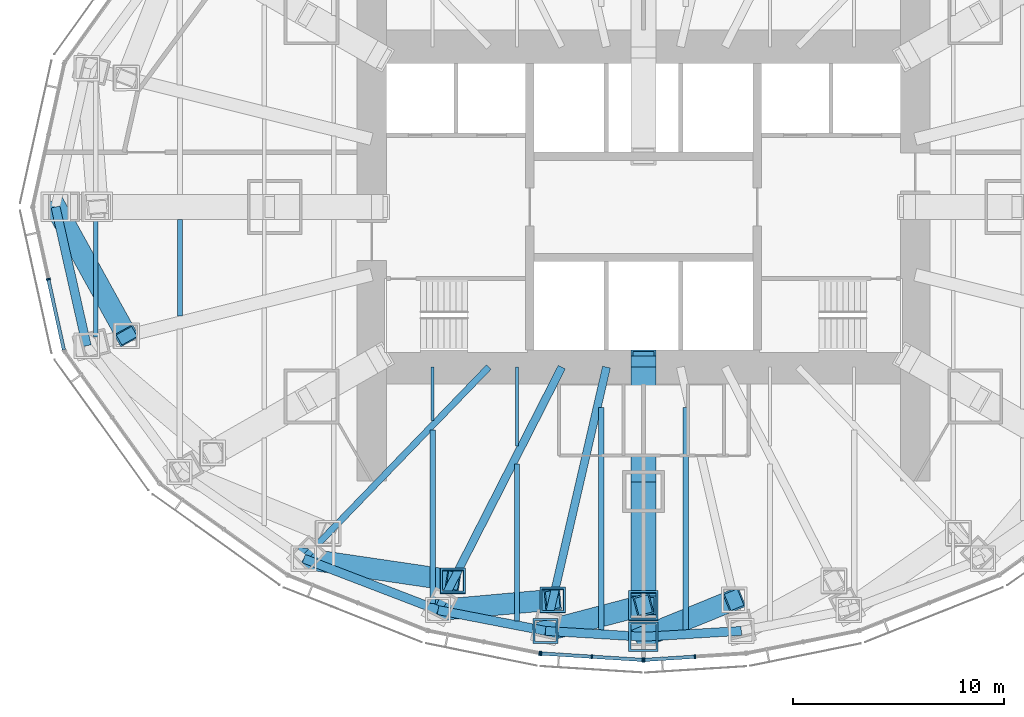
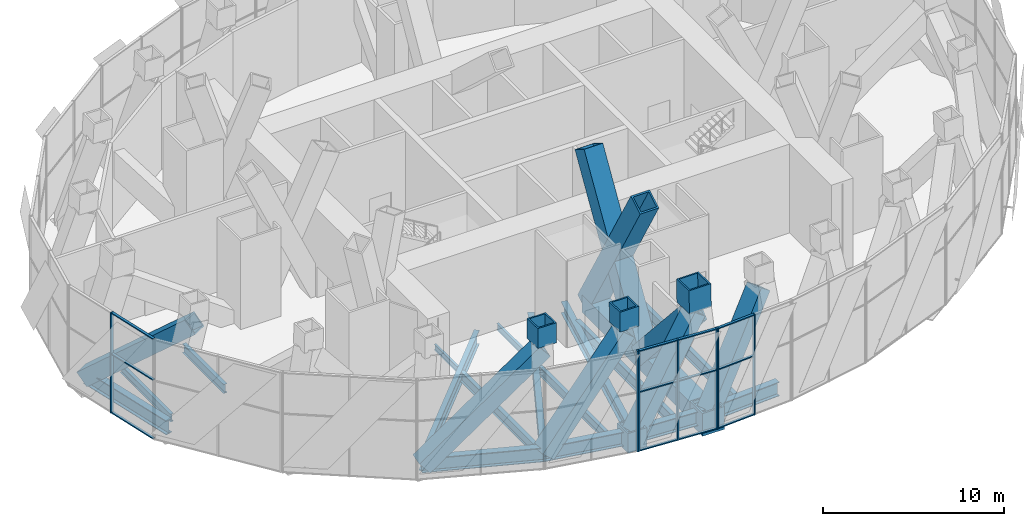
# One storey, part 3 of 19: 32 members, 18 beams, 4 elements without a shape of their own.
"""IFC4 building model written with IfcOpenShell, lengths in metres."""

from ifc_helpers import new_model, si_unit, direction, frame, origin, origin_2d, place, context, subcontext, project, spatial, rectangle, hollow_rectangle, i_section, extrude, material, material_profile, profile_set, type_object, element, aggregate, save


model = new_model("IFC4")

# Units and contexts
model_context = context("Model", 3, precision=1e-05, world=origin(), true_north=direction((0.0, 1.0)))
body_context = subcontext(model_context, "Body", "Model", "MODEL_VIEW")
ifc_project = project(units=[si_unit("LENGTHUNIT", "METRE"), si_unit("AREAUNIT", "SQUARE_METRE"), si_unit("VOLUMEUNIT", "CUBIC_METRE"), si_unit("PLANEANGLEUNIT", "RADIAN"), si_unit("MASSUNIT", "GRAM", prefix="KILO")], contexts=[model_context])

# Site, building, storey
site_placement = place(None, origin())
site = spatial("IfcSite", under=ifc_project, at=site_placement, CompositionType="ELEMENT")
building_placement = place(site_placement, origin())
building = spatial("IfcBuilding", under=site, at=building_placement, Name="Lantaw Convention Tower", CompositionType="ELEMENT")
storey_placement = place(building_placement, frame((0.0, 0.0, 193.0)))
storey = spatial("IfcBuildingStorey", under=building, at=storey_placement, Name="L45", CompositionType="ELEMENT", Elevation=193.0)

# Beams
ifc_material_1 = material(Name="Steel ASTM A992", Category="steel")
ifc_material_profile_1 = material_profile(ifc_material_1, i_section(OverallWidth=0.424072265625, OverallDepth=0.947509765625, WebThickness=0.02392578125, FlangeThickness=0.042724609375, FilletRadius=0.012451171875, at=origin_2d()), Name="W36X302")
ifc_profile_set_1 = profile_set([ifc_material_profile_1], Name="Steel ASTM A992")
beam_type_1 = type_object("IfcBeamType", Name="Beam BC W36X302", PredefinedType="SPANDREL", material=ifc_profile_set_1)
beam_1_placement = place(storey_placement, frame((-27.89990234375, 0.0, -0.673828125), z_axis=(0.219211877447, -0.975677279015, 0.0), x_axis=(0.975677279015, 0.219211877447, 0.0)))
element("IfcBeam", 1, at=beam_1_placement, inside=storey, type_object=beam_type_1, Name="Belt truss chord 13", PredefinedType="SPANDREL", context=body_context, shape_type="SweptSolid", body=[
    extrude(i_section(OverallWidth=0.424072265625, OverallDepth=0.947509765625, WebThickness=0.02392578125, FlangeThickness=0.042724609375, FilletRadius=0.012451171875, at=origin_2d()), origin(), (0.0, 0.0, 1.0), 6.75146484375),
])
beam_2_placement = place(storey_placement, frame((-16.11767578125, -16.690185546875, -0.673828125), z_axis=(0.933691081977, -0.358079549033, 0.0), x_axis=(0.358079549033, 0.933691081977, 0.0)))
element("IfcBeam", 2, at=beam_2_placement, inside=storey, type_object=beam_type_1, Name="Belt truss chord 16", PredefinedType="SPANDREL", context=body_context, shape_type="SweptSolid", body=[
    extrude(i_section(OverallWidth=0.424072265625, OverallDepth=0.947509765625, WebThickness=0.02392578125, FlangeThickness=0.042724609375, FilletRadius=0.012451171875, at=origin_2d()), origin(), (0.0, 0.0, 1.0), 6.821533203125),
])
beam_3_placement = place(storey_placement, frame((-9.74853515625, -19.1328125, -0.673828125), z_axis=(0.981796805654, -0.189934284446, 0.0), x_axis=(0.189934284446, 0.981796805654, 0.0)))
element("IfcBeam", 3, at=beam_3_placement, inside=storey, type_object=beam_type_1, Name="Belt truss chord 17", PredefinedType="SPANDREL", context=body_context, shape_type="SweptSolid", body=[
    extrude(i_section(OverallWidth=0.424072265625, OverallDepth=0.947509765625, WebThickness=0.02392578125, FlangeThickness=0.042724609375, FilletRadius=0.012451171875, at=origin_2d()), origin(), (0.0, 0.0, 1.0), 5.1982421875),
])
for number, where, z_axis, x_axis, name in (
    (4, (-4.64501953125, -20.1201171875, -0.673828125), (0.998190892054, -0.06012439621, 0.0), (0.06012439621, 0.998190892054, 0.0), "Belt truss chord 18"),
    (5, (0.0, -20.39990234375, -0.673828125), (0.998190892054, 0.06012439621, 0.0), (-0.06012439621, 0.998190892054, 0.0), "Belt truss chord 19"),
):
    element("IfcBeam", number, at=place(storey_placement, frame(where, z_axis=z_axis, x_axis=x_axis)), inside=storey, type_object=beam_type_1, Name=name, PredefinedType="SPANDREL", context=body_context, shape_type="SweptSolid", body=[
        extrude(i_section(OverallWidth=0.424072265625, OverallDepth=0.947509765625, WebThickness=0.02392578125, FlangeThickness=0.042724609375, FilletRadius=0.012451171875, at=origin_2d()), origin(), (0.0, 0.0, 1.0), 4.6533203125),
    ])
ifc_material_2 = material(Name="Steel EN 10025-3 S460N", Category="steel")
ifc_material_profile_2 = material_profile(ifc_material_2, hollow_rectangle(XDim=1.199951171875, YDim=1.199951171875, WallThickness=0.10009765625, at=origin_2d()), Name="BOX1200X100")
ifc_profile_set_2 = profile_set([ifc_material_profile_2], Name="Steel EN 10025-3 S460N")
beam_type_2 = type_object("IfcBeamType", Name="Beam G BOX1200X100", PredefinedType="BEAM", material=ifc_profile_set_2)
beam_4_placement = place(storey_placement, frame((0.0, -13.5, -0.800048828125), z_axis=(0.0, -1.0, 0.0), x_axis=(1.0, 0.0, 0.0)))
element("IfcBeam", 6, at=beam_4_placement, inside=storey, type_object=beam_type_2, Name="Floor girder on ray 19", PredefinedType="BEAM", context=body_context, shape_type="SweptSolid", body=[
    extrude(hollow_rectangle(XDim=1.199951171875, YDim=1.199951171875, WallThickness=0.10009765625, at=origin_2d()), origin(), (0.0, 0.0, 1.0), 6.89990234375),
])
ifc_material_profile_3 = material_profile(ifc_material_1, i_section(OverallWidth=0.381103515625, OverallDepth=0.772216796875, WebThickness=0.0166015625, FlangeThickness=0.027099609375, FilletRadius=0.0146484375, at=origin_2d()), Name="W30X173")
ifc_profile_set_3 = profile_set([ifc_material_profile_3], Name="Steel ASTM A992")
beam_type_3 = type_object("IfcBeamType", Name="Beam G W30X173", PredefinedType="BEAM", material=ifc_profile_set_3)
beam_5_placement = place(storey_placement, frame((-3.872314453125, -7.60009765625, -0.586181640625), z_axis=(-0.453991051051, -0.891006243281, 0.0), x_axis=(0.891006243281, -0.453991051051, 0.0)))
element("IfcBeam", 7, at=beam_5_placement, inside=storey, type_object=beam_type_3, Name="Floor girder on ray 17", PredefinedType="BEAM", context=body_context, shape_type="SweptSolid", body=[
    extrude(i_section(OverallWidth=0.381103515625, OverallDepth=0.772216796875, WebThickness=0.0166015625, FlangeThickness=0.027099609375, FilletRadius=0.0146484375, at=origin_2d()), origin(), (0.0, 0.0, 1.0), 12.943359375),
])
beam_6_placement = place(storey_placement, frame((-1.754638671875, -7.60009765625, -0.586181640625), z_axis=(-0.224944153104, -0.974371658036, 0.0), x_axis=(0.974371658036, -0.224944153104, 0.0)))
element("IfcBeam", 8, at=beam_6_placement, inside=storey, type_object=beam_type_3, Name="Floor girder on ray 18", PredefinedType="BEAM", context=body_context, shape_type="SweptSolid", body=[
    extrude(i_section(OverallWidth=0.381103515625, OverallDepth=0.772216796875, WebThickness=0.0166015625, FlangeThickness=0.027099609375, FilletRadius=0.0146484375, at=origin_2d()), origin(), (0.0, 0.0, 1.0), 12.849365234375),
])
ifc_material_profile_4 = material_profile(ifc_material_1, i_section(OverallWidth=0.307373046875, OverallDepth=0.9423828125, WebThickness=0.022216796875, FlangeThickness=0.039794921875, FilletRadius=0.0126953125, at=origin_2d()), Name="W36X232")
ifc_profile_set_4 = profile_set([ifc_material_profile_4], Name="Steel ASTM A992")
beam_type_4 = type_object("IfcBeamType", Name="Beam G W36X232", PredefinedType="BEAM", material=ifc_profile_set_4)
beam_7_placement = place(storey_placement, frame((-7.33935546875, -7.60009765625, -0.671142578125), z_axis=(-0.694663467407, -0.719334878239, 0.0), x_axis=(0.719334878239, -0.694663467407, 0.0)))
element("IfcBeam", 9, at=beam_7_placement, inside=storey, type_object=beam_type_4, Name="Floor girder on ray 16", PredefinedType="BEAM", context=body_context, shape_type="SweptSolid", body=[
    extrude(i_section(OverallWidth=0.307373046875, OverallDepth=0.9423828125, WebThickness=0.022216796875, FlangeThickness=0.039794921875, FilletRadius=0.0126953125, at=origin_2d()), origin(), (0.0, 0.0, 1.0), 12.63671875),
])
ifc_material_profile_5 = material_profile(ifc_material_1, i_section(OverallWidth=0.140380859375, OverallDepth=0.40380859375, WebThickness=0.007080078125, FlangeThickness=0.01123046875, FilletRadius=0.01025390625, at=origin_2d()), Name="W16X31")
ifc_profile_set_5 = profile_set([ifc_material_profile_5], Name="Steel ASTM A992")
beam_type_5 = type_object("IfcBeamType", Name="Beam J W16X31", PredefinedType="JOIST", material=ifc_profile_set_5)
beam_8_placement = place(storey_placement, frame((-10.0, -10.134033203125, -0.40185546875), z_axis=(0.0, 1.0, 0.0), x_axis=(-1.0, 0.0, 0.0)))
element("IfcBeam", 10, at=beam_8_placement, inside=storey, type_object=beam_type_5, Name="Floor joist", PredefinedType="JOIST", context=body_context, shape_type="SweptSolid", body=[
    extrude(i_section(OverallWidth=0.140380859375, OverallDepth=0.40380859375, WebThickness=0.007080078125, FlangeThickness=0.01123046875, FilletRadius=0.01025390625, at=origin_2d()), origin(), (0.0, 0.0, 1.0), 2.533935546875),
])
ifc_material_profile_6 = material_profile(ifc_material_1, i_section(OverallWidth=0.15234375, OverallDepth=0.449462890625, WebThickness=0.007568359375, FlangeThickness=0.0107421875, FilletRadius=0.01025390625, at=origin_2d()), Name="W18X35")
ifc_profile_set_6 = profile_set([ifc_material_profile_6], Name="Steel ASTM A992")
beam_type_6 = type_object("IfcBeamType", Name="Beam J W18X35", PredefinedType="JOIST", material=ifc_profile_set_6)
beam_9_placement = place(storey_placement, frame((-6.0, -11.35595703125, -0.4248046875), z_axis=(0.0, 1.0, 0.0), x_axis=(-1.0, 0.0, 0.0)))
element("IfcBeam", 11, at=beam_9_placement, inside=storey, type_object=beam_type_6, Name="Floor joist", PredefinedType="JOIST", context=body_context, shape_type="SweptSolid", body=[
    extrude(i_section(OverallWidth=0.15234375, OverallDepth=0.449462890625, WebThickness=0.007568359375, FlangeThickness=0.0107421875, FilletRadius=0.01025390625, at=origin_2d()), origin(), (0.0, 0.0, 1.0), 3.755859375),
])
ifc_material_profile_7 = material_profile(ifc_material_1, i_section(OverallWidth=0.209228515625, OverallDepth=0.533447265625, WebThickness=0.01025390625, FlangeThickness=0.015625, FilletRadius=0.012939453125, at=origin_2d()), Name="W21X62")
ifc_profile_set_7 = profile_set([ifc_material_profile_7], Name="Steel ASTM A992")
beam_type_7 = type_object("IfcBeamType", Name="Beam J W21X62", PredefinedType="JOIST", material=ifc_profile_set_7)
beam_10_placement = place(storey_placement, frame((-26.0, -6.17333984375, -0.466796875), z_axis=(0.0, 1.0, 0.0), x_axis=(-1.0, 0.0, 0.0)))
element("IfcBeam", 12, at=beam_10_placement, inside=storey, type_object=beam_type_7, Name="Floor joist", PredefinedType="JOIST", context=body_context, shape_type="SweptSolid", body=[
    extrude(i_section(OverallWidth=0.209228515625, OverallDepth=0.533447265625, WebThickness=0.01025390625, FlangeThickness=0.015625, FilletRadius=0.012939453125, at=origin_2d()), origin(), (0.0, 0.0, 1.0), 5.5732421875),
])
ifc_material_profile_8 = material_profile(ifc_material_1, i_section(OverallWidth=0.22900390625, OverallDepth=0.612060546875, WebThickness=0.011962890625, FlangeThickness=0.01953125, FilletRadius=0.0126953125, at=origin_2d()), Name="W24X84")
ifc_profile_set_8 = profile_set([ifc_material_profile_8], Name="Steel ASTM A992")
beam_type_8 = type_object("IfcBeamType", Name="Beam J W24X84", PredefinedType="JOIST", material=ifc_profile_set_8)
beam_11_placement = place(storey_placement, frame((-22.0, -5.176025390625, -0.506103515625), z_axis=(0.0, 1.0, 0.0), x_axis=(-1.0, 0.0, 0.0)))
element("IfcBeam", 13, at=beam_11_placement, inside=storey, type_object=beam_type_8, Name="Floor joist", PredefinedType="JOIST", context=body_context, shape_type="SweptSolid", body=[
    extrude(i_section(OverallWidth=0.22900390625, OverallDepth=0.612060546875, WebThickness=0.011962890625, FlangeThickness=0.01953125, FilletRadius=0.0126953125, at=origin_2d()), origin(), (0.0, 0.0, 1.0), 4.575927734375),
])
beam_12_placement = place(storey_placement, frame((-6.0, -19.641845703125, -0.506103515625), z_axis=(0.0, 1.0, 0.0), x_axis=(-1.0, 0.0, 0.0)))
element("IfcBeam", 14, at=beam_12_placement, inside=storey, type_object=beam_type_8, Name="Floor joist", PredefinedType="JOIST", context=body_context, shape_type="SweptSolid", body=[
    extrude(i_section(OverallWidth=0.22900390625, OverallDepth=0.612060546875, WebThickness=0.011962890625, FlangeThickness=0.01953125, FilletRadius=0.0126953125, at=origin_2d()), origin(), (0.0, 0.0, 1.0), 7.446533203125),
])
ifc_material_profile_9 = material_profile(ifc_material_1, i_section(OverallWidth=0.25390625, OverallDepth=0.683349609375, WebThickness=0.012451171875, FlangeThickness=0.01904296875, FilletRadius=0.01513671875, at=origin_2d()), Name="W27X94")
ifc_profile_set_9 = profile_set([ifc_material_profile_9], Name="Steel ASTM A992")
beam_type_9 = type_object("IfcBeamType", Name="Beam J W27X94", PredefinedType="JOIST", material=ifc_profile_set_9)
beam_13_placement = place(storey_placement, frame((-10.0, -18.80908203125, -0.541748046875), z_axis=(0.0, 1.0, 0.0), x_axis=(-1.0, 0.0, 0.0)))
element("IfcBeam", 15, at=beam_13_placement, inside=storey, type_object=beam_type_9, Name="Floor joist", PredefinedType="JOIST", context=body_context, shape_type="SweptSolid", body=[
    extrude(i_section(OverallWidth=0.25390625, OverallDepth=0.683349609375, WebThickness=0.012451171875, FlangeThickness=0.01904296875, FilletRadius=0.01513671875, at=origin_2d()), origin(), (0.0, 0.0, 1.0), 8.232666015625),
])
ifc_material_profile_10 = material_profile(ifc_material_1, i_section(OverallWidth=0.2666015625, OverallDepth=0.76953125, WebThickness=0.015625, FlangeThickness=0.025390625, FilletRadius=0.0126953125, at=origin_2d()), Name="W30X132")
ifc_profile_set_10 = profile_set([ifc_material_profile_10], Name="Steel ASTM A992")
beam_type_10 = type_object("IfcBeamType", Name="Beam J W30X132", PredefinedType="JOIST", material=ifc_profile_set_10)
for number, where, z_axis, x_axis, name in (
    (16, (-2.0, -20.06689453125, -0.584716796875), (0.0, 1.0, 0.0), (-1.0, 0.0, 0.0), "Floor joist"),
    (17, (2.0, -20.06689453125, -0.584716796875), (0.0, 1.0, 0.0), (-1.0, 0.0, 0.0), "Floor joist"),
):
    element("IfcBeam", number, at=place(storey_placement, frame(where, z_axis=z_axis, x_axis=x_axis)), inside=storey, type_object=beam_type_10, Name=name, PredefinedType="JOIST", context=body_context, shape_type="SweptSolid", body=[
        extrude(i_section(OverallWidth=0.2666015625, OverallDepth=0.76953125, WebThickness=0.015625, FlangeThickness=0.025390625, FilletRadius=0.0126953125, at=origin_2d()), origin(), (0.0, 0.0, 1.0), 10.55712890625),
    ])
ifc_material_profile_11 = material_profile(ifc_material_2, hollow_rectangle(XDim=1.199951171875, YDim=1.199951171875, WallThickness=0.10009765625, at=origin_2d()), Name="BOX1200X100")
ifc_profile_set_11 = profile_set([ifc_material_profile_11], Name="Steel EN 10025-3 S460N")
beam_type_11 = type_object("IfcBeamType", Name="Beam OC BOX1200X100", PredefinedType="BEAM", material=ifc_profile_set_11)
beam_14_placement = place(storey_placement, frame((0.0, -7.60009765625, -0.800048828125), z_axis=(0.0, -1.0, 0.0), x_axis=(1.0, 0.0, 0.0)))
element("IfcBeam", 18, at=beam_14_placement, inside=storey, type_object=beam_type_11, Name="Outrigger chord on ray 19", PredefinedType="BEAM", context=body_context, shape_type="SweptSolid", body=[
    extrude(hollow_rectangle(XDim=1.199951171875, YDim=1.199951171875, WallThickness=0.10009765625, at=origin_2d()), origin(), (0.0, 0.0, 1.0), 5.89990234375),
])

# Curtain wall, member
ifc_material_3 = material(Name="Aluminium framed curtain wall", Category="aluminium")
curtain_wall_type = type_object("IfcCurtainWallType", Name="Plant floor louvre wall, pale aluminium", PredefinedType="USERDEFINED", material=ifc_material_3)
curtain_wall_1_placement = place(storey_placement, origin())
curtain_wall_1 = element("IfcCurtainWall", 19, at=curtain_wall_1_placement, inside=storey, type_object=curtain_wall_type, Name="Plant floor louvre wall, pale aluminium L45", ObjectType="LOUVRE WALL", PredefinedType="USERDEFINED")
ifc_material_4 = material(Name="Aluminium 6063-T6", Category="aluminium")
ifc_material_profile_12 = material_profile(ifc_material_4, rectangle(XDim=0.199951171875, YDim=0.070068359375, at=origin_2d()), Name="CW-LV mullion 70x200")
ifc_profile_set_12 = profile_set([ifc_material_profile_12], Name="Aluminium 6063-T6")
member_type_1 = type_object("IfcMemberType", Name="CW-LV mullion 70x200", PredefinedType="MULLION", material=ifc_profile_set_12)
member_1_placement = place(storey_placement, frame((-28.24365234375, -3.4267578125, -1.0), z_axis=(0.0, 0.0, 1.0), x_axis=(0.9764936509, 0.215546166174, 0.0)))
member_1 = element("IfcMember", 20, at=member_1_placement, type_object=member_type_1, Name="CW-LV mullion 2", PredefinedType="MULLION", context=body_context, shape_type="SweptSolid", body=[
    extrude(rectangle(XDim=0.199951171875, YDim=0.070068359375, at=origin_2d()), origin(), (0.0, 0.0, 1.0), 6.800048828125),
])

curtain_wall_2_placement = place(storey_placement, origin())
curtain_wall_2 = element("IfcCurtainWall", 21, at=curtain_wall_2_placement, inside=storey, type_object=curtain_wall_type, Name="Plant floor louvre wall, pale aluminium L45", ObjectType="LOUVRE WALL", PredefinedType="USERDEFINED")
member_2_placement = place(storey_placement, frame((-4.9267578125, -21.184814453125, -1.0), z_axis=(0.0, 0.0, 1.0), x_axis=(0.197506809659, 0.980301514912, 0.0)))
member_2 = element("IfcMember", 22, at=member_2_placement, type_object=member_type_1, Name="CW-LV mullion 3", PredefinedType="MULLION", context=body_context, shape_type="SweptSolid", body=[
    extrude(rectangle(XDim=0.199951171875, YDim=0.070068359375, at=origin_2d()), origin(), (0.0, 0.0, 1.0), 6.800048828125),
])
aggregate(curtain_wall_2, [member_2])

# Curtain wall, members
curtain_wall_3_placement = place(storey_placement, origin())
curtain_wall_3 = element("IfcCurtainWall", 23, at=curtain_wall_3_placement, inside=storey, type_object=curtain_wall_type, Name="Plant floor louvre wall, pale aluminium L45", ObjectType="LOUVRE WALL", PredefinedType="USERDEFINED")
member_3_placement = place(storey_placement, frame((-4.857666015625, -21.194091796875, -1.0), z_axis=(0.0, 0.0, 1.0), x_axis=(0.062865059466, 0.998022035978, 0.0)))
member_3 = element("IfcMember", 24, at=member_3_placement, type_object=member_type_1, Name="CW-LV mullion 1", PredefinedType="MULLION", context=body_context, shape_type="SweptSolid", body=[
    extrude(rectangle(XDim=0.199951171875, YDim=0.070068359375, at=origin_2d()), origin(), (0.0, 0.0, 1.0), 6.800048828125),
])
member_4_placement = place(storey_placement, frame((-2.4462890625, -21.345947265625, -1.0), z_axis=(0.0, 0.0, 1.0), x_axis=(0.062865059466, 0.998022035978, 0.0)))
member_4 = element("IfcMember", 25, at=member_4_placement, type_object=member_type_1, Name="CW-LV mullion 2", PredefinedType="MULLION", context=body_context, shape_type="SweptSolid", body=[
    extrude(rectangle(XDim=0.199951171875, YDim=0.070068359375, at=origin_2d()), origin(), (0.0, 0.0, 1.0), 6.800048828125),
])
member_5_placement = place(storey_placement, frame((-0.034912109375, -21.497802734375, -1.0), z_axis=(0.0, 0.0, 1.0), x_axis=(0.062865059466, 0.998022035978, 0.0)))
member_5 = element("IfcMember", 26, at=member_5_placement, type_object=member_type_1, Name="CW-LV mullion 3", PredefinedType="MULLION", context=body_context, shape_type="SweptSolid", body=[
    extrude(rectangle(XDim=0.199951171875, YDim=0.070068359375, at=origin_2d()), origin(), (0.0, 0.0, 1.0), 6.800048828125),
])

curtain_wall_4_placement = place(storey_placement, origin())
curtain_wall_4 = element("IfcCurtainWall", 27, at=curtain_wall_4_placement, inside=storey, type_object=curtain_wall_type, Name="Plant floor louvre wall, pale aluminium L45", ObjectType="LOUVRE WALL", PredefinedType="USERDEFINED")
member_6_placement = place(storey_placement, frame((0.034912109375, -21.497802734375, -1.0), z_axis=(0.0, 0.0, 1.0), x_axis=(-0.062865059466, 0.998022035978, 0.0)))
member_6 = element("IfcMember", 28, at=member_6_placement, type_object=member_type_1, Name="CW-LV mullion 1", PredefinedType="MULLION", context=body_context, shape_type="SweptSolid", body=[
    extrude(rectangle(XDim=0.199951171875, YDim=0.070068359375, at=origin_2d()), origin(), (0.0, 0.0, 1.0), 6.800048828125),
])
member_7_placement = place(storey_placement, frame((2.4462890625, -21.345947265625, -1.0), z_axis=(0.0, 0.0, 1.0), x_axis=(-0.062865059466, 0.998022035978, 0.0)))
member_7 = element("IfcMember", 29, at=member_7_placement, type_object=member_type_1, Name="CW-LV mullion 2", PredefinedType="MULLION", context=body_context, shape_type="SweptSolid", body=[
    extrude(rectangle(XDim=0.199951171875, YDim=0.070068359375, at=origin_2d()), origin(), (0.0, 0.0, 1.0), 6.800048828125),
])

# Member
ifc_material_profile_13 = material_profile(ifc_material_4, rectangle(XDim=0.159912109375, YDim=0.070068359375, at=origin_2d()), Name="CW-LV transom 70x160")
ifc_profile_set_13 = profile_set([ifc_material_profile_13], Name="Aluminium 6063-T6")
member_type_2 = type_object("IfcMemberType", Name="CW-LV transom 70x160", PredefinedType="USERDEFINED", material=ifc_profile_set_13)
member_8_placement = place(storey_placement, frame((-28.236083984375, -3.4609375, -0.965087890625), z_axis=(0.215593710182, -0.976483155067, 0.0), x_axis=(0.976483155067, 0.215593710182, 0.0)))
member_8 = element("IfcMember", 30, at=member_8_placement, type_object=member_type_2, Name="CW-LV transom 2.1", ObjectType="TRANSOM", PredefinedType="USERDEFINED", context=body_context, shape_type="SweptSolid", body=[
    extrude(rectangle(XDim=0.159912109375, YDim=0.070068359375, at=origin_2d()), origin(), (0.0, 0.0, 1.0), 3.404052734375),
])

member_9_placement = place(storey_placement, frame((-28.236083984375, -3.4609375, 3.0), z_axis=(0.215593710182, -0.976483155067, 0.0), x_axis=(0.976483155067, 0.215593710182, 0.0)))
member_9 = element("IfcMember", 31, at=member_9_placement, type_object=member_type_2, Name="CW-LV transom 2.2", ObjectType="TRANSOM", PredefinedType="USERDEFINED", context=body_context, shape_type="SweptSolid", body=[
    extrude(rectangle(XDim=0.159912109375, YDim=0.070068359375, at=origin_2d()), origin(), (0.0, 0.0, 1.0), 3.404052734375),
])

member_10_placement = place(storey_placement, frame((-28.236083984375, -3.4609375, 5.764892578125), z_axis=(0.215593710182, -0.976483155067, 0.0), x_axis=(0.976483155067, 0.215593710182, 0.0)))
member_10 = element("IfcMember", 32, at=member_10_placement, type_object=member_type_2, Name="CW-LV transom 2.3", ObjectType="TRANSOM", PredefinedType="USERDEFINED", context=body_context, shape_type="SweptSolid", body=[
    extrude(rectangle(XDim=0.159912109375, YDim=0.070068359375, at=origin_2d()), origin(), (0.0, 0.0, 1.0), 3.404052734375),
])

aggregate(curtain_wall_1, [member_1, member_8, member_9, member_10])

member_11_placement = place(storey_placement, frame((-4.82275390625, -21.1962890625, -0.965087890625), z_axis=(0.99802290903, -0.062851197691, 0.0), x_axis=(0.062851197691, 0.99802290903, 0.0)))
member_11 = element("IfcMember", 33, at=member_11_placement, type_object=member_type_2, Name="CW-LV transom 1.1", ObjectType="TRANSOM", PredefinedType="USERDEFINED", context=body_context, shape_type="SweptSolid", body=[
    extrude(rectangle(XDim=0.159912109375, YDim=0.070068359375, at=origin_2d()), origin(), (0.0, 0.0, 1.0), 2.34619140625),
])

member_12_placement = place(storey_placement, frame((-4.82275390625, -21.1962890625, 3.0), z_axis=(0.99802290903, -0.062851197691, 0.0), x_axis=(0.062851197691, 0.99802290903, 0.0)))
member_12 = element("IfcMember", 34, at=member_12_placement, type_object=member_type_2, Name="CW-LV transom 1.2", ObjectType="TRANSOM", PredefinedType="USERDEFINED", context=body_context, shape_type="SweptSolid", body=[
    extrude(rectangle(XDim=0.159912109375, YDim=0.070068359375, at=origin_2d()), origin(), (0.0, 0.0, 1.0), 2.34619140625),
])

member_13_placement = place(storey_placement, frame((-4.82275390625, -21.1962890625, 5.764892578125), z_axis=(0.99802290903, -0.062851197691, 0.0), x_axis=(0.062851197691, 0.99802290903, 0.0)))
member_13 = element("IfcMember", 35, at=member_13_placement, type_object=member_type_2, Name="CW-LV transom 1.3", ObjectType="TRANSOM", PredefinedType="USERDEFINED", context=body_context, shape_type="SweptSolid", body=[
    extrude(rectangle(XDim=0.159912109375, YDim=0.070068359375, at=origin_2d()), origin(), (0.0, 0.0, 1.0), 2.34619140625),
])

member_14_placement = place(storey_placement, frame((-2.411376953125, -21.34814453125, -0.965087890625), z_axis=(0.99802290903, -0.062851197691, 0.0), x_axis=(0.062851197691, 0.99802290903, 0.0)))
member_14 = element("IfcMember", 36, at=member_14_placement, type_object=member_type_2, Name="CW-LV transom 2.1", ObjectType="TRANSOM", PredefinedType="USERDEFINED", context=body_context, shape_type="SweptSolid", body=[
    extrude(rectangle(XDim=0.159912109375, YDim=0.070068359375, at=origin_2d()), origin(), (0.0, 0.0, 1.0), 2.34619140625),
])

member_15_placement = place(storey_placement, frame((-2.411376953125, -21.34814453125, 3.0), z_axis=(0.99802290903, -0.062851197691, 0.0), x_axis=(0.062851197691, 0.99802290903, 0.0)))
member_15 = element("IfcMember", 37, at=member_15_placement, type_object=member_type_2, Name="CW-LV transom 2.2", ObjectType="TRANSOM", PredefinedType="USERDEFINED", context=body_context, shape_type="SweptSolid", body=[
    extrude(rectangle(XDim=0.159912109375, YDim=0.070068359375, at=origin_2d()), origin(), (0.0, 0.0, 1.0), 2.34619140625),
])

member_16_placement = place(storey_placement, frame((-2.411376953125, -21.34814453125, 5.764892578125), z_axis=(0.99802290903, -0.062851197691, 0.0), x_axis=(0.062851197691, 0.99802290903, 0.0)))
member_16 = element("IfcMember", 38, at=member_16_placement, type_object=member_type_2, Name="CW-LV transom 2.3", ObjectType="TRANSOM", PredefinedType="USERDEFINED", context=body_context, shape_type="SweptSolid", body=[
    extrude(rectangle(XDim=0.159912109375, YDim=0.070068359375, at=origin_2d()), origin(), (0.0, 0.0, 1.0), 2.34619140625),
])

aggregate(curtain_wall_3, [member_3, member_4, member_5, member_11, member_12, member_13, member_14, member_15, member_16])

member_17_placement = place(storey_placement, frame((0.06982421875, -21.49560546875, -0.965087890625), z_axis=(0.99802290903, 0.062851197691, 0.0), x_axis=(-0.062851197691, 0.99802290903, 0.0)))
member_17 = element("IfcMember", 39, at=member_17_placement, type_object=member_type_2, Name="CW-LV transom 1.1", ObjectType="TRANSOM", PredefinedType="USERDEFINED", context=body_context, shape_type="SweptSolid", body=[
    extrude(rectangle(XDim=0.159912109375, YDim=0.070068359375, at=origin_2d()), origin(), (0.0, 0.0, 1.0), 2.34619140625),
])

member_18_placement = place(storey_placement, frame((0.06982421875, -21.49560546875, 3.0), z_axis=(0.99802290903, 0.062851197691, 0.0), x_axis=(-0.062851197691, 0.99802290903, 0.0)))
member_18 = element("IfcMember", 40, at=member_18_placement, type_object=member_type_2, Name="CW-LV transom 1.2", ObjectType="TRANSOM", PredefinedType="USERDEFINED", context=body_context, shape_type="SweptSolid", body=[
    extrude(rectangle(XDim=0.159912109375, YDim=0.070068359375, at=origin_2d()), origin(), (0.0, 0.0, 1.0), 2.34619140625),
])

member_19_placement = place(storey_placement, frame((0.06982421875, -21.49560546875, 5.764892578125), z_axis=(0.99802290903, 0.062851197691, 0.0), x_axis=(-0.062851197691, 0.99802290903, 0.0)))
member_19 = element("IfcMember", 41, at=member_19_placement, type_object=member_type_2, Name="CW-LV transom 1.3", ObjectType="TRANSOM", PredefinedType="USERDEFINED", context=body_context, shape_type="SweptSolid", body=[
    extrude(rectangle(XDim=0.159912109375, YDim=0.070068359375, at=origin_2d()), origin(), (0.0, 0.0, 1.0), 2.34619140625),
])

aggregate(curtain_wall_4, [member_6, member_7, member_17, member_18, member_19])

# Members
ifc_material_5 = material(Name="Steel ASTM A572 Grade 50", Category="steel")
ifc_material_profile_14 = material_profile(ifc_material_5, hollow_rectangle(XDim=1.0, YDim=1.0, WallThickness=0.080078125, at=origin_2d()), Name="BOX1000X80")
ifc_profile_set_14 = profile_set([ifc_material_profile_14], Name="Steel ASTM A572 Grade 50")
member_type_3 = type_object("IfcMemberType", Name="Member BT BOX1000X80", PredefinedType="BRACE", material=ifc_profile_set_14)
member_20_placement = place(storey_placement, frame((-27.89990234375, 0.0, -0.673828125), z_axis=(0.365540280656, -0.661623680866, 0.654701770377), x_axis=(0.875294096806, 0.483590988436, 0.0)))
element("IfcMember", 42, at=member_20_placement, inside=storey, type_object=member_type_3, Name="Belt truss diagonal 13", PredefinedType="BRACE", context=body_context, shape_type="SweptSolid", body=[
    extrude(hollow_rectangle(XDim=1.0, YDim=1.0, WallThickness=0.080078125, at=origin_2d()), origin(), (0.0, 0.0, 1.0), 9.240966796875),
])
member_21_placement = place(storey_placement, frame((-16.11767578125, -16.690185546875, -0.673828125), z_axis=(0.755668354651, -0.111089395167, 0.645464549035), x_axis=(0.145444901959, 0.989366353023, 0.0)))
element("IfcMember", 43, at=member_21_placement, inside=storey, type_object=member_type_3, Name="Belt truss diagonal 16", PredefinedType="BRACE", context=body_context, shape_type="SweptSolid", body=[
    extrude(hollow_rectangle(XDim=1.0, YDim=1.0, WallThickness=0.080078125, at=origin_2d()), origin(), (0.0, 0.0, 1.0), 9.373291015625),
])
member_22_placement = place(storey_placement, frame((-9.74853515625, -19.1328125, -0.673828125), z_axis=(0.66772074946, 0.060181996611, 0.741975153239), x_axis=(-0.089766615144, 0.995962828024, 0.0)))
element("IfcMember", 44, at=member_22_placement, inside=storey, type_object=member_type_3, Name="Belt truss diagonal 17", PredefinedType="BRACE", context=body_context, shape_type="SweptSolid", body=[
    extrude(hollow_rectangle(XDim=1.0, YDim=1.0, WallThickness=0.080078125, at=origin_2d()), origin(), (0.0, 0.0, 1.0), 8.154052734375),
])
member_23_placement = place(storey_placement, frame((-4.64501953125, -20.1201171875, -0.673828125), z_axis=(0.601334329172, 0.157966413182, 0.783226427584), x_axis=(-0.254072899472, 0.967185071098, 0.0)))
element("IfcMember", 45, at=member_23_placement, inside=storey, type_object=member_type_3, Name="Belt truss diagonal 18", PredefinedType="BRACE", context=body_context, shape_type="SweptSolid", body=[
    extrude(hollow_rectangle(XDim=1.0, YDim=1.0, WallThickness=0.080078125, at=origin_2d()), origin(), (0.0, 0.0, 1.0), 7.724609375),
])
member_24_placement = place(storey_placement, frame((0.0, -20.39990234375, -0.673828125), z_axis=(0.564082629148, 0.23038146973, 0.792928222413), x_axis=(-0.37809909423, 0.92576512947, 0.0)))
element("IfcMember", 46, at=member_24_placement, inside=storey, type_object=member_type_3, Name="Belt truss diagonal 19", PredefinedType="BRACE", context=body_context, shape_type="SweptSolid", body=[
    extrude(hollow_rectangle(XDim=1.0, YDim=1.0, WallThickness=0.080078125, at=origin_2d()), origin(), (0.0, 0.0, 1.0), 7.630126953125),
])
ifc_material_6 = material(Name="Cast steel ASTM A148 Grade 80-50", Category="steel")
ifc_material_profile_15 = material_profile(ifc_material_6, hollow_rectangle(XDim=1.199951171875, YDim=1.199951171875, WallThickness=0.10009765625, at=origin_2d()), Name="BOX1200X100")
ifc_profile_set_15 = profile_set([ifc_material_profile_15], Name="Cast steel ASTM A148 Grade 80-50")
member_type_4 = type_object("IfcMemberType", Name="Member CN BOX1200X100", PredefinedType="USERDEFINED", material=ifc_profile_set_15)
member_25_placement = place(storey_placement, frame((-9.05322265625, -17.767822265625, 5.844970703125), z_axis=(0.014051729303, 0.027548785081, 0.999521692283), x_axis=(0.999901172454, -0.000827736643, -0.014034250157)))
element("IfcMember", 47, at=member_25_placement, inside=storey, type_object=member_type_4, Name="Cast steel column node", ObjectType="COLUMN NODE", PredefinedType="USERDEFINED", context=body_context, shape_type="SweptSolid", body=[
    extrude(hollow_rectangle(XDim=1.199951171875, YDim=1.199951171875, WallThickness=0.10009765625, at=origin_2d()), origin(), (0.0, 0.0, 1.0), 1.320556640625),
])
member_26_placement = place(storey_placement, frame((-4.64501953125, -20.1201171875, -1.320068359375), z_axis=(0.0, 0.0, 1.0), x_axis=(1.0, 0.0, 0.0)))
element("IfcMember", 48, at=member_26_placement, inside=storey, type_object=member_type_4, Name="Cast steel column node", ObjectType="COLUMN NODE", PredefinedType="USERDEFINED", context=body_context, shape_type="SweptSolid", body=[
    extrude(hollow_rectangle(XDim=1.199951171875, YDim=1.199951171875, WallThickness=0.10009765625, at=origin_2d()), origin(), (0.0, 0.0, 1.0), 1.320068359375),
])
member_27_placement = place(storey_placement, frame((-4.3125, -18.678955078125, 5.849853515625), z_axis=(0.006470432268, 0.027915293498, 0.999589350631), x_axis=(0.999978679056, -0.001060609157, -0.006443333047)))
element("IfcMember", 49, at=member_27_placement, inside=storey, type_object=member_type_4, Name="Cast steel column node", ObjectType="COLUMN NODE", PredefinedType="USERDEFINED", context=body_context, shape_type="SweptSolid", body=[
    extrude(hollow_rectangle(XDim=1.199951171875, YDim=1.199951171875, WallThickness=0.10009765625, at=origin_2d()), origin(), (0.0, 0.0, 1.0), 1.320556640625),
])
ifc_material_profile_16 = material_profile(ifc_material_6, hollow_rectangle(XDim=1.39990234375, YDim=1.39990234375, WallThickness=0.10009765625, at=origin_2d()), Name="BOX1400X100")
ifc_profile_set_16 = profile_set([ifc_material_profile_16], Name="Cast steel ASTM A148 Grade 80-50")
member_type_5 = type_object("IfcMemberType", Name="Member CN BOX1400X100", PredefinedType="USERDEFINED", material=ifc_profile_set_16)
member_28_placement = place(storey_placement, frame((0.0, -20.39990234375, -1.5400390625), z_axis=(0.0, 0.0, 1.0), x_axis=(1.0, 0.0, 0.0)))
element("IfcMember", 50, at=member_28_placement, inside=storey, type_object=member_type_5, Name="Cast steel column node", ObjectType="COLUMN NODE", PredefinedType="USERDEFINED", context=body_context, shape_type="SweptSolid", body=[
    extrude(hollow_rectangle(XDim=1.39990234375, YDim=1.39990234375, WallThickness=0.10009765625, at=origin_2d()), origin(), (0.0, 0.0, 1.0), 1.5400390625),
])
member_29_placement = place(storey_placement, frame((0.0, -18.943115234375, 5.8271484375), z_axis=(0.0, 0.02804856712, 0.999606561544), x_axis=(1.0, 0.0, 0.0)))
element("IfcMember", 51, at=member_29_placement, inside=storey, type_object=member_type_5, Name="Cast steel column node", ObjectType="COLUMN NODE", PredefinedType="USERDEFINED", context=body_context, shape_type="SweptSolid", body=[
    extrude(hollow_rectangle(XDim=1.39990234375, YDim=1.39990234375, WallThickness=0.10009765625, at=origin_2d()), origin(), (0.0, 0.0, 1.0), 1.54052734375),
])
ifc_material_profile_17 = material_profile(ifc_material_2, hollow_rectangle(XDim=1.199951171875, YDim=1.199951171875, WallThickness=0.10009765625, at=origin_2d()), Name="BOX1200X100")
ifc_profile_set_17 = profile_set([ifc_material_profile_17], Name="Steel EN 10025-3 S460N")
member_type_6 = type_object("IfcMemberType", Name="Member OT BOX1200X100", PredefinedType="BRACE", material=ifc_profile_set_17)
member_30_placement = place(storey_placement, frame((0.0, -7.60009765625, -0.800048828125), z_axis=(0.0, -0.498862022955, 0.866681419008), x_axis=(1.0, 0.0, 0.0)))
element("IfcMember", 52, at=member_30_placement, inside=storey, type_object=member_type_6, Name="Outrigger diagonal 19", PredefinedType="BRACE", context=body_context, shape_type="SweptSolid", body=[
    extrude(hollow_rectangle(XDim=1.199951171875, YDim=1.199951171875, WallThickness=0.10009765625, at=origin_2d()), origin(), (0.0, 0.0, 1.0), 11.82666015625),
])
member_31_placement = place(storey_placement, frame((0.0, -7.300048828125, 9.449951171875), z_axis=(0.0, -0.517558507531, -0.855647819656), x_axis=(1.0, 0.0, 0.0)))
element("IfcMember", 53, at=member_31_placement, inside=storey, type_object=member_type_6, Name="Outrigger diagonal 19 (reverse)", PredefinedType="BRACE", context=body_context, shape_type="SweptSolid", body=[
    extrude(hollow_rectangle(XDim=1.199951171875, YDim=1.199951171875, WallThickness=0.10009765625, at=origin_2d()), origin(), (0.0, 0.0, 1.0), 11.979248046875),
])
member_32_placement = place(storey_placement, frame((0.0, -13.5, -0.800048828125), z_axis=(0.0, -0.665883540495, 0.746055702008), x_axis=(1.0, 0.0, 0.0)))
element("IfcMember", 54, at=member_32_placement, inside=storey, type_object=member_type_6, Name="Outrigger diagonal 19 (outer)", PredefinedType="BRACE", context=body_context, shape_type="SweptSolid", body=[
    extrude(hollow_rectangle(XDim=1.199951171875, YDim=1.199951171875, WallThickness=0.10009765625, at=origin_2d()), origin(), (0.0, 0.0, 1.0), 8.109375),
])

save(model, "model.ifc")
